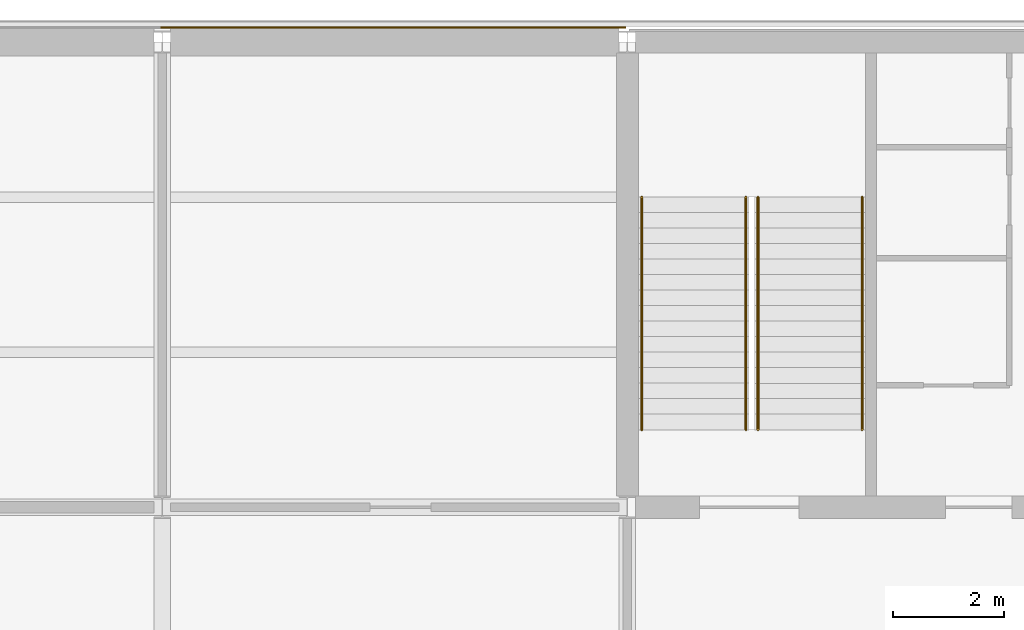
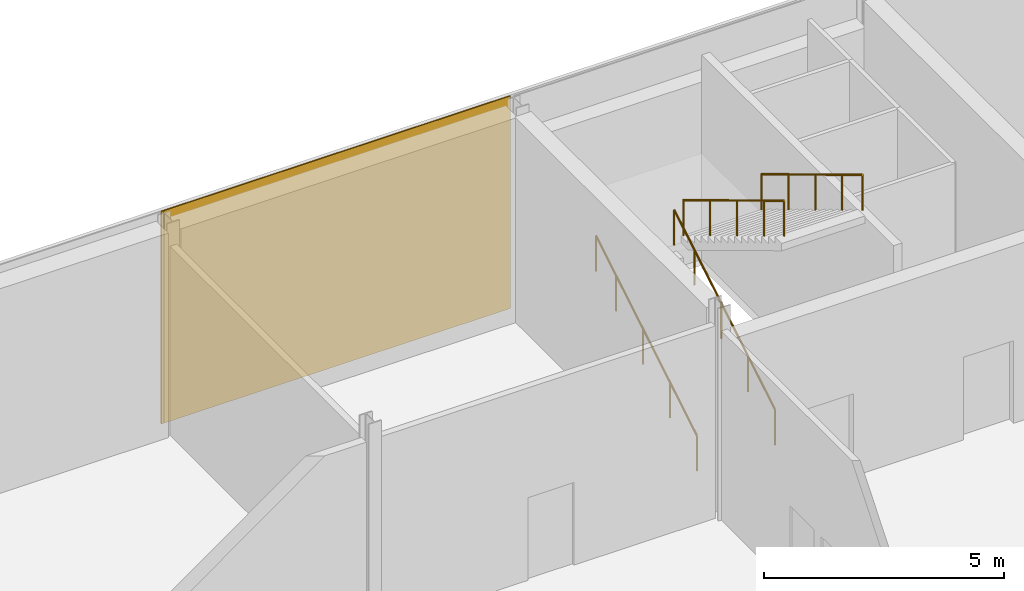
# One storey, part 44 of 57: 4 railings, 2 coverings.
"""IFC4 building model written with IfcOpenShell, lengths in metres."""

from ifc_helpers import new_model, si_unit, direction, frame, origin, origin_2d, place, context, subcontext, project, spatial, rectangle, circle, extrude, material, layer, layer_set, type_object, element, save


model = new_model("IFC4")

# Units and contexts
model_context = context("Model", 3, precision=1e-05, world=origin(), true_north=direction((0.0, 1.0)))
body_context = subcontext(model_context, "Body", "Model", "MODEL_VIEW")
ifc_project = project(units=[si_unit("LENGTHUNIT", "METRE"), si_unit("AREAUNIT", "SQUARE_METRE"), si_unit("VOLUMEUNIT", "CUBIC_METRE"), si_unit("PLANEANGLEUNIT", "RADIAN"), si_unit("MASSUNIT", "GRAM", prefix="KILO")], contexts=[model_context])

# Site, building, storey
site_placement = place(None, origin())
site = spatial("IfcSite", under=ifc_project, at=site_placement, CompositionType="ELEMENT")
building_placement = place(site_placement, origin())
building = spatial("IfcBuilding", under=site, at=building_placement, Name="Galleria Vessillo Department Store", CompositionType="ELEMENT")
storey_placement = place(building_placement, frame((0.0, 0.0, 25.800048828125)))
storey = spatial("IfcBuildingStorey", under=building, at=storey_placement, Name="L05", CompositionType="ELEMENT", Elevation=25.800048828125)

# Coverings
ifc_material_1 = material(Name="Lime plaster (intonaco) ochre")
ifc_layer = layer(ifc_material_1, 0.030029296875)
ifc_layer_set = layer_set([ifc_layer], Name="Lime plaster (intonaco) ochre")
covering_type = type_object("IfcCoveringType", Name="Lime plaster render 30 mm", PredefinedType="CLADDING", material=ifc_layer_set)
covering_1_placement = place(storey_placement, frame((54.60009765625, 63.264892578125, 0.0), z_axis=(0.0, 0.0, 1.0), x_axis=(1.0, 0.0, 0.0)))
element("IfcCovering", 1, at=covering_1_placement, inside=storey, type_object=covering_type, Name="Wall cladding S-PN-L05-05", PredefinedType="CLADDING", context=body_context, shape_type="SweptSolid", body=[
    extrude(rectangle(XDim=8.34033203125, YDim=0.030029296875, at=origin_2d()), origin(), (0.0, 0.0, 1.0), 5.39990234375),
])
covering_2_placement = place(storey_placement, frame((50.39990234375, 63.264892578125, 0.0), z_axis=(0.0, 0.0, 1.0), x_axis=(1.0, 0.0, 0.0)))
element("IfcCovering", 2, at=covering_2_placement, inside=storey, type_object=covering_type, Name="Joint block Wall cladding S-PN-L05-04", PredefinedType="CLADDING", context=body_context, shape_type="SweptSolid", body=[
    extrude(rectangle(XDim=0.059814453125, YDim=0.030029296875, at=origin_2d()), origin(), (0.0, 0.0, 1.0), 5.39990234375),
])

# Railings
ifc_material_2 = material(Name="Stainless steel tube", Category="steel")
railing_type = type_object("IfcRailingType", Name="Stair handrail steel tube 48 mm", PredefinedType="HANDRAIL", material=ifc_material_2)
for number, where, name in (
    (3, (59.06005859375, 56.0, 0.168701171875), "Handrail ST11 L05 flight 1A"),
    (4, (60.93994140625, 56.0, 0.168701171875), "Handrail ST11 L05 flight 1B"),
):
    element("IfcRailing", number, at=place(storey_placement, frame(where)), inside=storey, type_object=railing_type, Name=name, PredefinedType="HANDRAIL", context=body_context, shape_type="SweptSolid", body=[
        extrude(circle(Radius=0.02392578125, at=origin_2d()), frame((0.0, 0.0, 0.89599609375), z_axis=(0.0, 0.856486514401, 0.516169401116), x_axis=(-1.0, 0.0, 0.0)), (0.0, 0.0, 1.0), 1.307861328125),
        extrude(circle(Radius=0.02392578125, at=origin_2d()), frame((0.0, 1.1201171875, 1.57080078125), z_axis=(0.0, 0.856436765236, 0.516251941548), x_axis=(-1.0, 0.0, 0.0)), (0.0, 0.0, 1.0), 1.3076171875),
        extrude(circle(Radius=0.02392578125, at=origin_2d()), frame((0.0, 2.239990234375, 2.24609375), z_axis=(0.0, 0.856486514401, 0.516169401116), x_axis=(-1.0, 0.0, 0.0)), (0.0, 0.0, 1.0), 1.307861328125),
        extrude(circle(Radius=0.02392578125, at=origin_2d()), frame((0.0, 3.360107421875, 2.9208984375), z_axis=(0.0, 0.856502732318, 0.516142489563), x_axis=(-1.0, 0.0, 0.0)), (0.0, 0.0, 1.0), 0.98046875),
        extrude(circle(Radius=0.02099609375, at=origin_2d()), origin(), (0.0, 0.0, 1.0), 0.871826171875),
        extrude(circle(Radius=0.02099609375, at=origin_2d()), frame((0.0, 1.1201171875, 0.675048828125)), (0.0, 0.0, 1.0), 0.871826171875),
        extrude(circle(Radius=0.02099609375, at=origin_2d()), frame((0.0, 2.239990234375, 1.35009765625)), (0.0, 0.0, 1.0), 0.871826171875),
        extrude(circle(Radius=0.02099609375, at=origin_2d()), frame((0.0, 3.360107421875, 2.025146484375)), (0.0, 0.0, 1.0), 0.871826171875),
        extrude(circle(Radius=0.02099609375, at=origin_2d()), frame((0.0, 4.199951171875, 2.53125)), (0.0, 0.0, 1.0), 0.871826171875),
    ])
for number, where, name in (
    (5, (63.0400390625, 60.199951171875, 2.86865234375), "Handrail ST11 L05 flight 2A"),
    (6, (61.16015625, 60.199951171875, 2.86865234375), "Handrail ST11 L05 flight 2B"),
):
    element("IfcRailing", number, at=place(storey_placement, frame(where)), inside=storey, type_object=railing_type, Name=name, PredefinedType="HANDRAIL", context=body_context, shape_type="SweptSolid", body=[
        extrude(circle(Radius=0.02392578125, at=origin_2d()), frame((0.0, 0.0, 0.89599609375), z_axis=(0.0, -0.856486514401, 0.516169401116), x_axis=(1.0, 0.0, 0.0)), (0.0, 0.0, 1.0), 1.307861328125),
        extrude(circle(Radius=0.02392578125, at=origin_2d()), frame((0.0, -1.1201171875, 1.57080078125), z_axis=(0.0, -0.856436765236, 0.516251941548), x_axis=(1.0, 0.0, 0.0)), (0.0, 0.0, 1.0), 1.3076171875),
        extrude(circle(Radius=0.02392578125, at=origin_2d()), frame((0.0, -2.239990234375, 2.24609375), z_axis=(0.0, -0.856486514401, 0.516169401116), x_axis=(1.0, 0.0, 0.0)), (0.0, 0.0, 1.0), 1.307861328125),
        extrude(circle(Radius=0.02392578125, at=origin_2d()), frame((0.0, -3.360107421875, 2.9208984375), z_axis=(0.0, -0.856502732318, 0.516142489563), x_axis=(1.0, 0.0, 0.0)), (0.0, 0.0, 1.0), 0.98046875),
        extrude(circle(Radius=0.02099609375, at=origin_2d()), origin(), (0.0, 0.0, 1.0), 0.871826171875),
        extrude(circle(Radius=0.02099609375, at=origin_2d()), frame((0.0, -1.1201171875, 0.675048828125)), (0.0, 0.0, 1.0), 0.871826171875),
        extrude(circle(Radius=0.02099609375, at=origin_2d()), frame((0.0, -2.239990234375, 1.35009765625)), (0.0, 0.0, 1.0), 0.871826171875),
        extrude(circle(Radius=0.02099609375, at=origin_2d()), frame((0.0, -3.360107421875, 2.025146484375)), (0.0, 0.0, 1.0), 0.871826171875),
        extrude(circle(Radius=0.02099609375, at=origin_2d()), frame((0.0, -4.199951171875, 2.53125)), (0.0, 0.0, 1.0), 0.871826171875),
    ])

save(model, "model.ifc")
